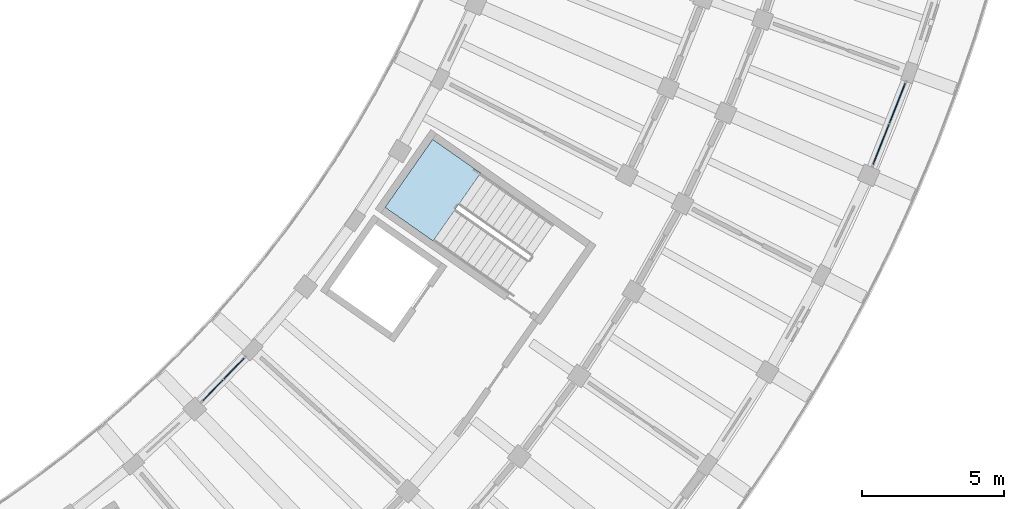
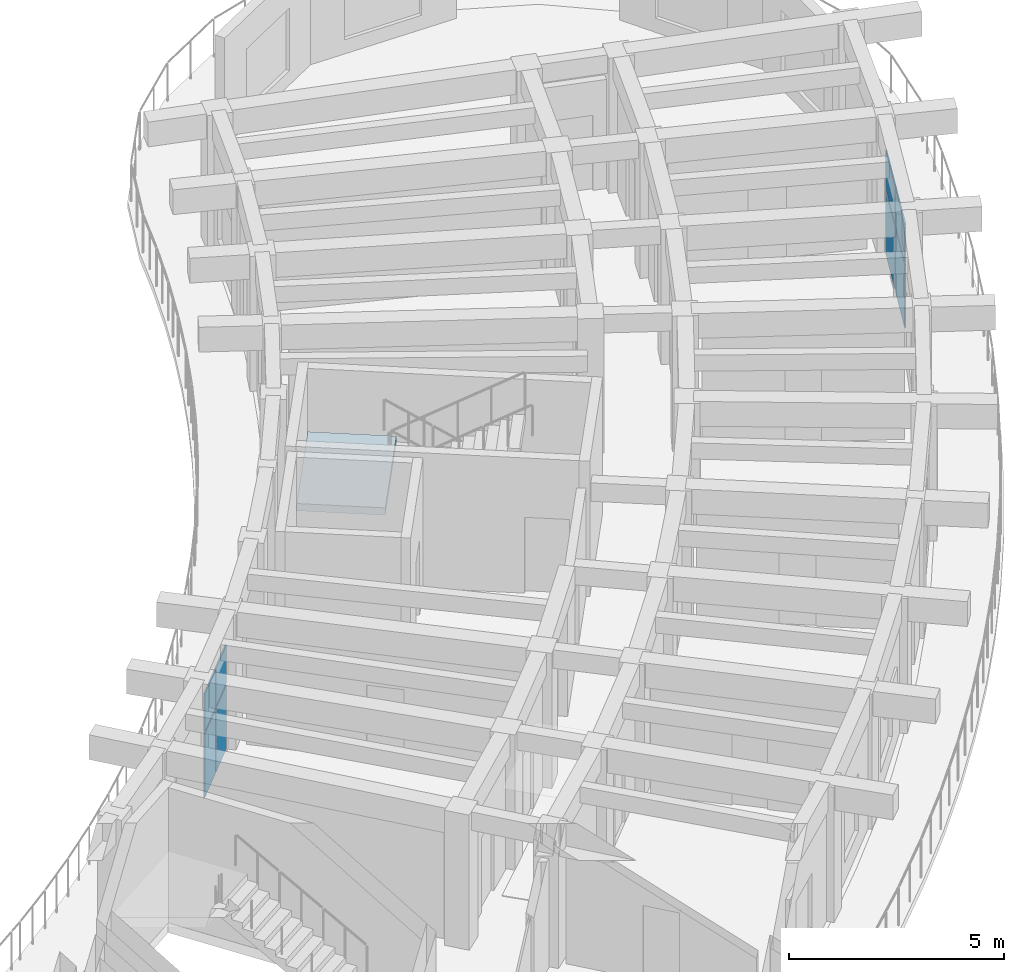
# One storey, part 76 of 128: 8 plates, 1 slab, 3 elements without a shape of their own.
"""IFC4 building model written with IfcOpenShell, lengths in metres."""

from ifc_helpers import new_model, si_unit, direction, frame, origin, origin_2d, place, context, subcontext, project, spatial, polyline, rectangle, outline, extrude, material, layer, layer_set, type_object, element, aggregate, save


model = new_model("IFC4")

# Units and contexts
model_context = context("Model", 3, precision=1e-05, world=origin(), true_north=direction((0.0, 1.0)))
body_context = subcontext(model_context, "Body", "Model", "MODEL_VIEW")
ifc_project = project(units=[si_unit("LENGTHUNIT", "METRE"), si_unit("AREAUNIT", "SQUARE_METRE"), si_unit("VOLUMEUNIT", "CUBIC_METRE"), si_unit("PLANEANGLEUNIT", "RADIAN"), si_unit("MASSUNIT", "GRAM", prefix="KILO")], contexts=[model_context])

# Site, building, storey
site_placement = place(None, origin())
site = spatial("IfcSite", under=ifc_project, at=site_placement, CompositionType="ELEMENT")
building_placement = place(site_placement, origin())
building = spatial("IfcBuilding", under=site, at=building_placement, Name="Tanwirah Colonnade Gardens", CompositionType="ELEMENT")
storey_placement = place(building_placement, frame((0.0, 0.0, 4.760009765625)))
storey = spatial("IfcBuildingStorey", under=building, at=storey_placement, Name="L01", CompositionType="ELEMENT", Elevation=4.760009765625)

# Curtain wall, plates
ifc_material_1 = material(Name="Bronze-anodised aluminium and solar-control low-E glass", Category="aluminium")
curtain_wall_type_1 = type_object("IfcCurtainWallType", Name="CW-GDN", PredefinedType="NOTDEFINED", material=ifc_material_1)
curtain_wall_1_placement = place(storey_placement, origin())
curtain_wall_1 = element("IfcCurtainWall", 1, at=curtain_wall_1_placement, inside=storey, type_object=curtain_wall_type_1, Name="Curtain Wall CW-D-L01-IN-08", PredefinedType="NOTDEFINED")
ifc_material_2 = material(Name="Insulated bronze aluminium spandrel panel", Category="aluminium")
ifc_layer_1 = layer(ifc_material_2, 0.035888671875)
ifc_layer_set_1 = layer_set([ifc_layer_1], Name="Insulated bronze aluminium spandrel panel")
plate_type = type_object("IfcPlateType", Name="CWP-SPN36", PredefinedType="CURTAIN_PANEL", material=ifc_layer_set_1)
plate_1_placement = place(storey_placement, frame((152.5205078125, 33.188232421875, 0.06494140625), z_axis=(0.0, 0.0, 1.0), x_axis=(0.696223466127, 0.717825107678, 0.0)))
plate_1 = element("IfcPlate", 2, at=plate_1_placement, type_object=plate_type, Name="CW-GDN panel 1.1", PredefinedType="CURTAIN_PANEL", context=body_context, shape_type="SweptSolid", body=[
    extrude(rectangle(XDim=0.996826171875, YDim=0.035888671875, at=origin_2d()), origin(), (0.0, 0.0, 1.0), 1.80908203125),
])
plate_2_placement = place(storey_placement, frame((152.5205078125, 33.188232421875, 1.93896484375), z_axis=(0.0, 0.0, 1.0), x_axis=(0.696223466127, 0.717825107678, 0.0)))
plate_2 = element("IfcPlate", 3, at=plate_2_placement, type_object=plate_type, Name="CW-GDN panel 1.2", PredefinedType="CURTAIN_PANEL", context=body_context, shape_type="SweptSolid", body=[
    extrude(rectangle(XDim=0.996826171875, YDim=0.035888671875, at=origin_2d()), origin(), (0.0, 0.0, 1.0), 1.071044921875),
])
plate_3_placement = place(storey_placement, frame((153.259765625, 33.950439453125, 0.06494140625), z_axis=(0.0, 0.0, 1.0), x_axis=(0.696223466127, 0.717825107678, 0.0)))
plate_3 = element("IfcPlate", 4, at=plate_3_placement, type_object=plate_type, Name="CW-GDN panel 2.1", PredefinedType="CURTAIN_PANEL", context=body_context, shape_type="SweptSolid", body=[
    extrude(rectangle(XDim=0.996826171875, YDim=0.035888671875, at=origin_2d()), origin(), (0.0, 0.0, 1.0), 1.80908203125),
])
plate_4_placement = place(storey_placement, frame((153.259765625, 33.950439453125, 1.93896484375), z_axis=(0.0, 0.0, 1.0), x_axis=(0.696223466127, 0.717825107678, 0.0)))
plate_4 = element("IfcPlate", 5, at=plate_4_placement, type_object=plate_type, Name="CW-GDN panel 2.2", PredefinedType="CURTAIN_PANEL", context=body_context, shape_type="SweptSolid", body=[
    extrude(rectangle(XDim=0.996826171875, YDim=0.035888671875, at=origin_2d()), origin(), (0.0, 0.0, 1.0), 1.071044921875),
])
aggregate(curtain_wall_1, [plate_1, plate_2, plate_3, plate_4])

curtain_wall_type_2 = type_object("IfcCurtainWallType", Name="CW-LOB", PredefinedType="NOTDEFINED", material=ifc_material_1)
curtain_wall_2_placement = place(storey_placement, origin())
curtain_wall_2 = element("IfcCurtainWall", 6, at=curtain_wall_2_placement, inside=storey, type_object=curtain_wall_type_2, Name="Curtain Wall CW-D-L01-OUT-14", PredefinedType="NOTDEFINED")
plate_5_placement = place(storey_placement, frame((176.042236328125, 41.842529296875, 0.06494140625), z_axis=(0.0, 0.0, 1.0), x_axis=(0.368528781723, 0.929616338627, 0.0)))
plate_5 = element("IfcPlate", 7, at=plate_5_placement, type_object=plate_type, Name="CW-LOB panel 1.1", PredefinedType="CURTAIN_PANEL", context=body_context, shape_type="SweptSolid", body=[
    extrude(rectangle(XDim=1.490966796875, YDim=0.035888671875, at=origin_2d()), origin(), (0.0, 0.0, 1.0), 1.80908203125),
])
plate_6_placement = place(storey_placement, frame((176.042236328125, 41.842529296875, 1.93896484375), z_axis=(0.0, 0.0, 1.0), x_axis=(0.368528781723, 0.929616338627, 0.0)))
plate_6 = element("IfcPlate", 8, at=plate_6_placement, type_object=plate_type, Name="CW-LOB panel 1.2", PredefinedType="CURTAIN_PANEL", context=body_context, shape_type="SweptSolid", body=[
    extrude(rectangle(XDim=1.490966796875, YDim=0.035888671875, at=origin_2d()), origin(), (0.0, 0.0, 1.0), 1.071044921875),
])
plate_7_placement = place(storey_placement, frame((176.61572265625, 43.2890625, 0.06494140625), z_axis=(0.0, 0.0, 1.0), x_axis=(0.368528781723, 0.929616338627, 0.0)))
plate_7 = element("IfcPlate", 9, at=plate_7_placement, type_object=plate_type, Name="CW-LOB panel 2.1", PredefinedType="CURTAIN_PANEL", context=body_context, shape_type="SweptSolid", body=[
    extrude(rectangle(XDim=1.490966796875, YDim=0.035888671875, at=origin_2d()), origin(), (0.0, 0.0, 1.0), 1.80908203125),
])
plate_8_placement = place(storey_placement, frame((176.61572265625, 43.2890625, 1.93896484375), z_axis=(0.0, 0.0, 1.0), x_axis=(0.368528781723, 0.929616338627, 0.0)))
plate_8 = element("IfcPlate", 10, at=plate_8_placement, type_object=plate_type, Name="CW-LOB panel 2.2", PredefinedType="CURTAIN_PANEL", context=body_context, shape_type="SweptSolid", body=[
    extrude(rectangle(XDim=1.490966796875, YDim=0.035888671875, at=origin_2d()), origin(), (0.0, 0.0, 1.0), 1.071044921875),
])
aggregate(curtain_wall_2, [plate_5, plate_6, plate_7, plate_8])

# Stair, slab
ifc_material_3 = material(Name="Precast concrete C40/50", Category="concrete")
stair_type = type_object("IfcStairType", Name="ST-RES170", PredefinedType="HALF_TURN_STAIR", material=ifc_material_3)
stair_placement = place(storey_placement, origin())
stair = element("IfcStair", 11, at=stair_placement, inside=storey, type_object=stair_type, Name="L01 Block D Core 2 Exit Stair", PredefinedType="HALF_TURN_STAIR")
ifc_layer_2 = layer(ifc_material_3, 0.205078125)
ifc_layer_set_2 = layer_set([ifc_layer_2], Name="Precast concrete C40/50")
slab_type = type_object("IfcSlabType", Name="SL-LND-205", PredefinedType="LANDING", material=ifc_layer_set_2)
slab_placement = place(storey_placement, frame((0.0, 0.0, 1.8349609375)))
slab = element("IfcSlab", 12, at=slab_placement, type_object=slab_type, Name="ST-D2 landing 1", PredefinedType="LANDING", context=body_context, shape_type="SweptSolid", body=[
    extrude(outline(polyline([(161.946044921875, 40.83447265625), (160.25439453125, 42.018798828125), (158.57958984375, 39.626953125), (160.271240234375, 38.442626953125), (161.946044921875, 40.83447265625)])), origin(), (0.0, 0.0, 1.0), 0.205078125),
])
aggregate(stair, [slab])

save(model, "model.ifc")
